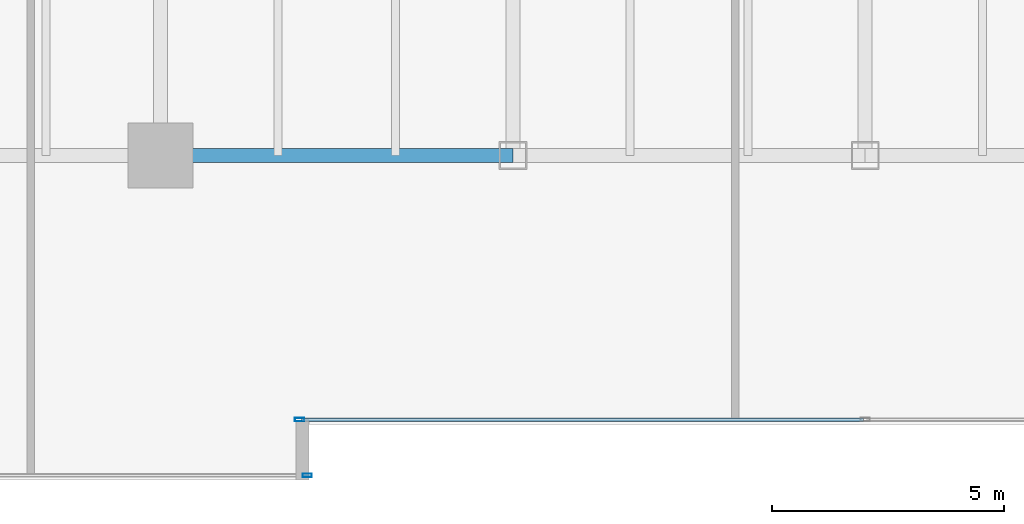
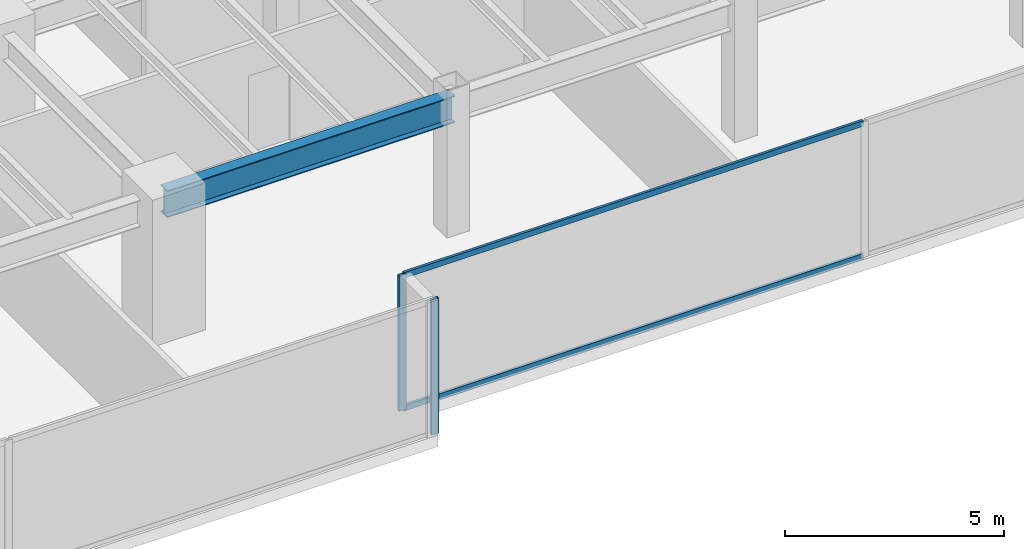
# One storey, part 4 of 35: 4 members, 1 beam, 2 elements without a shape of their own.
"""IFC4 building model written with IfcOpenShell, lengths in metres."""

from ifc_helpers import new_model, si_unit, direction, frame, origin, origin_2d, place, context, subcontext, project, spatial, hollow_rectangle, i_section, extrude, source, transform, mapped, material, layer, layer_set, material_profile, profile_set, type_object, type_shapes, element, aggregate, save


model = new_model("IFC4")

# Units and contexts
model_context = context("Model", 3, precision=1e-05, world=origin(), true_north=direction((0.0, 1.0)))
body_context = subcontext(model_context, "Body", "Model", "MODEL_VIEW")
ifc_project = project(units=[si_unit("LENGTHUNIT", "METRE"), si_unit("AREAUNIT", "SQUARE_METRE"), si_unit("VOLUMEUNIT", "CUBIC_METRE"), si_unit("PLANEANGLEUNIT", "RADIAN"), si_unit("MASSUNIT", "GRAM", prefix="KILO")], contexts=[model_context])

# Site, building, storey
site_placement = place(None, origin())
site = spatial("IfcSite", under=ifc_project, at=site_placement, CompositionType="ELEMENT")
building_placement = place(site_placement, origin())
building = spatial("IfcBuilding", under=site, at=building_placement, Name="Haelvirn Gate Laboratories", CompositionType="ELEMENT")
storey_placement = place(building_placement, frame((0.0, 0.0, 37.5)))
storey = spatial("IfcBuildingStorey", under=building, at=storey_placement, Name="L09", CompositionType="ELEMENT", Elevation=37.5)

# Beam
ifc_material_1 = material(Name="Steel SM355", Category="steel")
ifc_material_profile_1 = material_profile(ifc_material_1, i_section(OverallWidth=0.300048828125, OverallDepth=0.75, WebThickness=0.013916015625, FlangeThickness=0.02392578125, at=origin_2d()), Name="H-750x300x14x24")
ifc_profile_set_1 = profile_set([ifc_material_profile_1], Name="Steel SM355")
beam_type = type_object("IfcBeamType", Name="BM-G-750", PredefinedType="BEAM", material=ifc_profile_set_1)
shared_shape_1 = source(origin(), body_context, "Body", "SweptSolid", [
    extrude(i_section(OverallWidth=0.300048828125, OverallDepth=0.75, WebThickness=0.013916015625, FlangeThickness=0.02392578125, at=origin_2d()), origin(), (0.0, 0.0, 1.0), 7.60009765625),
])
type_shapes(beam_type, [shared_shape_1])
beam_placement = place(storey_placement, frame((22.199951171875, 7.0, 3.405029296875), z_axis=(1.0, 0.0, 0.0), x_axis=(0.0, 1.0, 0.0)))
element("IfcBeam", 1, at=beam_placement, inside=storey, type_object=beam_type, Name="L09 Primary Girder Y7.0 (22.2-29.8)", PredefinedType="BEAM", context=body_context, shape_type="MappedRepresentation", body=[
    mapped(shared_shape_1, transform((0.0, 0.0, 0.0), scale=1.0)),
])

# Curtain wall, member
ifc_material_2 = material(Name="Anodised bronze unitised aluminium & triple low-E glass", Category="aluminium")
ifc_layer = layer(ifc_material_2, 0.18408203125, Name="CW-SYS-2")
ifc_layer_set = layer_set([ifc_layer], Name="Anodised bronze unitised aluminium & triple low-E glass")
curtain_wall_type = type_object("IfcCurtainWallType", Name="CW-SYS-2", PredefinedType="NOTDEFINED", material=ifc_layer_set)
curtain_wall_1_placement = place(storey_placement, origin())
curtain_wall_1 = element("IfcCurtainWall", 2, at=curtain_wall_1_placement, inside=storey, type_object=curtain_wall_type, Name="L09 Unitised Curtain Wall CW-L09-P0-E00-1", PredefinedType="NOTDEFINED")
ifc_material_3 = material(Name="Extruded aluminium 6063-T6 (anodised bronze)", Category="aluminium")
ifc_material_profile_2 = material_profile(ifc_material_3, hollow_rectangle(XDim=0.074951171875, YDim=0.199951171875, WallThickness=0.0048828125, at=origin_2d()), Name="CWM-200x75x5")
ifc_profile_set_2 = profile_set([ifc_material_profile_2], Name="Extruded aluminium 6063-T6 (anodised bronze)")
member_type_1 = type_object("IfcMemberType", Name="CWM-T200", PredefinedType="MULLION", material=ifc_profile_set_2)
shared_shape_2 = source(origin(), body_context, "Body", "SweptSolid", [
    extrude(hollow_rectangle(XDim=0.074951171875, YDim=0.199951171875, WallThickness=0.0048828125, at=origin_2d()), origin(), (0.0, 0.0, 1.0), 3.780029296875),
])
type_shapes(member_type_1, [shared_shape_2])
member_1_placement = place(storey_placement, frame((25.362548828125, 0.10009765625, 0.0), z_axis=(0.0, 0.0, 1.0), x_axis=(0.0, 1.0, 0.0)))
member_1 = element("IfcMember", 3, at=member_1_placement, type_object=member_type_1, Name="CW2 mullion 3", PredefinedType="MULLION", context=body_context, shape_type="MappedRepresentation", body=[
    mapped(shared_shape_2, transform((0.0, 0.0, 0.0), scale=1.0)),
])
aggregate(curtain_wall_1, [member_1])

# Curtain wall, members
curtain_wall_2_placement = place(storey_placement, origin())
curtain_wall_2 = element("IfcCurtainWall", 4, at=curtain_wall_2_placement, inside=storey, type_object=curtain_wall_type, Name="L09 Unitised Curtain Wall CW-L09-P0-E02-1", PredefinedType="NOTDEFINED")
member_2_placement = place(storey_placement, frame((25.197509765625, 1.300048828125, 0.0), z_axis=(0.0, 0.0, 1.0), x_axis=(0.0, 1.0, 0.0)))
member_2 = element("IfcMember", 5, at=member_2_placement, type_object=member_type_1, Name="CW2 mullion 1", PredefinedType="MULLION", context=body_context, shape_type="MappedRepresentation", body=[
    mapped(shared_shape_2, transform((0.0, 0.0, 0.0), scale=1.0)),
])
ifc_material_profile_3 = material_profile(ifc_material_3, hollow_rectangle(XDim=0.070068359375, YDim=0.159912109375, WallThickness=0.0048828125, at=origin_2d()), Name="CWT-160x70x5")
ifc_profile_set_3 = profile_set([ifc_material_profile_3], Name="Extruded aluminium 6063-T6 (anodised bronze)")
member_type_2 = type_object("IfcMemberType", Name="CWT-T160", PredefinedType="USERDEFINED", material=ifc_profile_set_3)
shared_shape_3 = source(origin(), body_context, "Body", "SweptSolid", [
    extrude(hollow_rectangle(XDim=0.070068359375, YDim=0.159912109375, WallThickness=0.0048828125, at=origin_2d()), origin(), (0.0, 0.0, 1.0), 12.12744140625),
])
type_shapes(member_type_2, [shared_shape_3])
member_3_placement = place(storey_placement, frame((25.235107421875, 1.300048828125, 0.034912109375), z_axis=(1.0, 0.0, 0.0), x_axis=(0.0, 1.0, 0.0)))
member_3 = element("IfcMember", 6, at=member_3_placement, type_object=member_type_2, Name="CW2 transom 1.1", ObjectType="TRANSOM", PredefinedType="USERDEFINED", context=body_context, shape_type="MappedRepresentation", body=[
    mapped(shared_shape_3, transform((0.0, 0.0, 0.0), scale=1.0)),
])
member_4_placement = place(storey_placement, frame((25.235107421875, 1.300048828125, 3.7451171875), z_axis=(1.0, 0.0, 0.0), x_axis=(0.0, 1.0, 0.0)))
member_4 = element("IfcMember", 7, at=member_4_placement, type_object=member_type_2, Name="CW2 transom 1.2", ObjectType="TRANSOM", PredefinedType="USERDEFINED", context=body_context, shape_type="MappedRepresentation", body=[
    mapped(shared_shape_3, transform((0.0, 0.0, 0.0), scale=1.0)),
])
aggregate(curtain_wall_2, [member_2, member_3, member_4])

save(model, "model.ifc")
